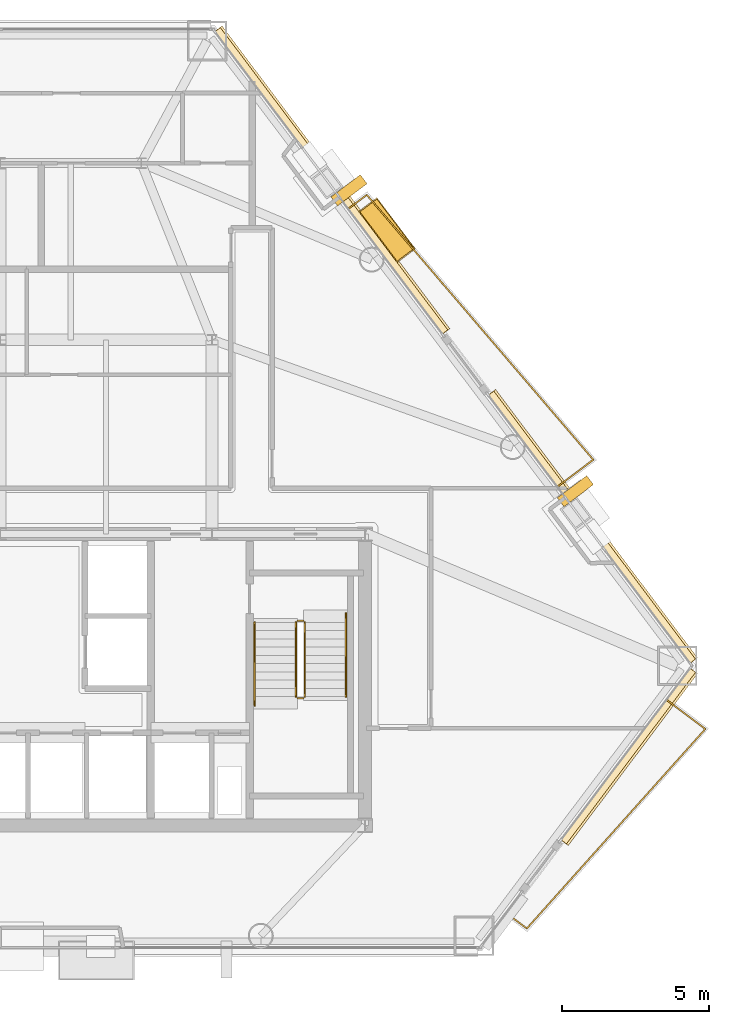
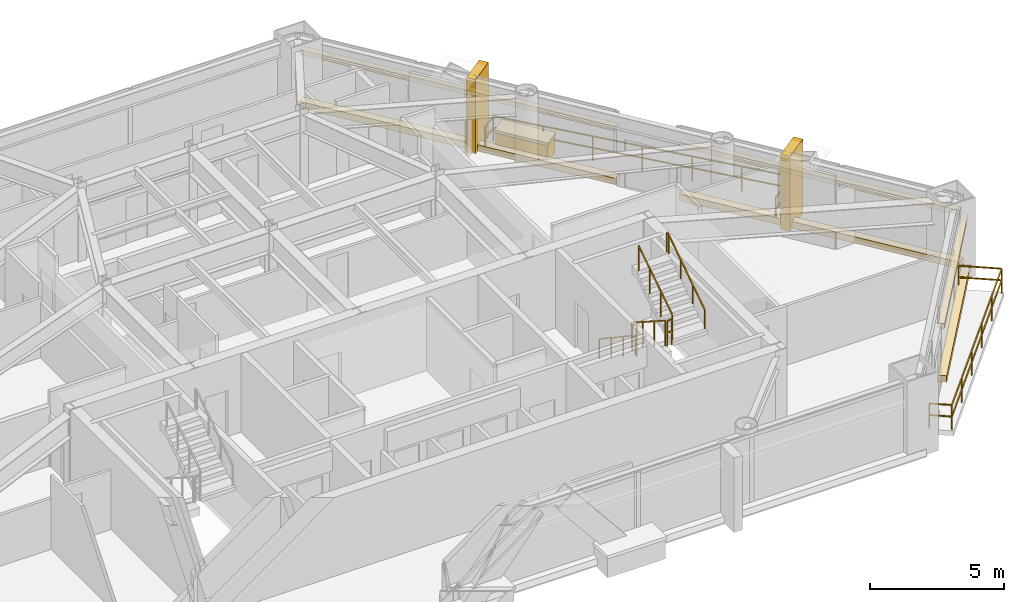
# One storey, part 11 of 11: 10 coverings, 8 railings.
"""IFC4 building model written with IfcOpenShell, lengths in metres."""

from ifc_helpers import new_model, si_unit, direction, frame, origin, origin_2d, place, context, subcontext, project, spatial, rectangle, extrude, material, layer, layer_set, type_object, element, save


model = new_model("IFC4")

# Units and contexts
model_context = context("Model", 3, precision=1e-05, world=origin(), true_north=direction((0.0, 1.0)))
body_context = subcontext(model_context, "Body", "Model", "MODEL_VIEW")
ifc_project = project(units=[si_unit("LENGTHUNIT", "METRE"), si_unit("AREAUNIT", "SQUARE_METRE"), si_unit("VOLUMEUNIT", "CUBIC_METRE"), si_unit("PLANEANGLEUNIT", "RADIAN"), si_unit("MASSUNIT", "GRAM", prefix="KILO")], contexts=[model_context])

# Site, building, storey
site_placement = place(None, origin())
site = spatial("IfcSite", under=ifc_project, at=site_placement, CompositionType="ELEMENT")
building_placement = place(site_placement, origin())
building = spatial("IfcBuilding", under=site, at=building_placement, Name="Talgorran Terracotta Tower", CompositionType="ELEMENT")
storey_placement = place(building_placement, frame((0.0, 0.0, 72.0)))
storey = spatial("IfcBuildingStorey", under=building, at=storey_placement, Name="L18", CompositionType="ELEMENT", Elevation=72.0)

# Coverings
ifc_material_1 = material(Name="Kiln-Fired Terracotta Ochre Ceramic", Category="masonry")
ifc_layer_1 = layer(ifc_material_1, 0.179931640625, Name="COV_BAGUETTE_TERRACOTTA_SCREEN")
ifc_layer_set_1 = layer_set([ifc_layer_1], Name="Kiln-Fired Terracotta Ochre Ceramic")
covering_type_1 = type_object("IfcCoveringType", Name="COV_BAGUETTE_TERRACOTTA_SCREEN", PredefinedType="CLADDING", material=ifc_layer_set_1)
covering_1_placement = place(storey_placement, frame((21.32861328125, -11.732666015625, 2.41015625), z_axis=(0.0, 0.0, 1.0), x_axis=(0.601257323772, 0.799055461536, 0.0)))
element("IfcCovering", 1, at=covering_1_placement, inside=storey, type_object=covering_type_1, Name="L18 Terracotta Baguette Solar Screen Assembly F31", PredefinedType="CLADDING", context=body_context, shape_type="SweptSolid", body=[
    extrude(rectangle(XDim=7.287841796875, YDim=0.260009765625, at=origin_2d()), origin(), (0.0, 0.0, 1.0), 0.219970703125),
])
covering_2_placement = place(storey_placement, frame((20.094482421875, -3.972900390625, 2.41015625), z_axis=(0.0, 0.0, 1.0), x_axis=(-0.601243377531, 0.799065955334, 0.0)))
element("IfcCovering", 2, at=covering_2_placement, inside=storey, type_object=covering_type_1, Name="L18 Terracotta Baguette Solar Screen Assembly F40", PredefinedType="CLADDING", context=body_context, shape_type="SweptSolid", body=[
    extrude(rectangle(XDim=11.393310546875, YDim=0.260009765625, at=origin_2d()), origin(), (0.0, 0.0, 1.0), 0.219970703125),
])
covering_3_placement = place(storey_placement, frame((11.2431640625, 7.791015625, 2.41015625), z_axis=(0.0, 0.0, 1.0), x_axis=(-0.601243377531, 0.799065955334, 0.0)))
element("IfcCovering", 3, at=covering_3_placement, inside=storey, type_object=covering_type_1, Name="L18 Terracotta Baguette Solar Screen Assembly F41", PredefinedType="CLADDING", context=body_context, shape_type="SweptSolid", body=[
    extrude(rectangle(XDim=12.850341796875, YDim=0.260009765625, at=origin_2d()), origin(), (0.0, 0.0, 1.0), 0.219970703125),
])
ifc_material_2 = material(Name="Honed Limestone and Terracotta Planter", Category="masonry")
ifc_layer_2 = layer(ifc_material_2, 0.1201171875, Name="COV_PLANTER_BOX")
ifc_layer_set_2 = layer_set([ifc_layer_2], Name="Honed Limestone and Terracotta Planter")
covering_type_2 = type_object("IfcCoveringType", Name="COV_PLANTER_BOX", PredefinedType="CLADDING", material=ifc_layer_set_2)
covering_4_placement = place(storey_placement, frame((13.14599609375, 6.12548828125, -0.02001953125), z_axis=(0.0, 0.0, 1.0), x_axis=(-0.601243377531, 0.799065955334, 0.0)))
element("IfcCovering", 4, at=covering_4_placement, inside=storey, type_object=covering_type_2, Name="L18 Staggered Balcony Planter Box BAL-NE", PredefinedType="CLADDING", context=body_context, shape_type="SweptSolid", body=[
    extrude(rectangle(XDim=2.10009765625, YDim=0.719970703125, at=origin_2d()), origin(), (0.0, 0.0, 1.0), 0.860107421875),
])
ifc_material_3 = material(Name="Kiln-Fired Terracotta Planter Rim", Category="masonry")
ifc_layer_3 = layer(ifc_material_3, 0.10009765625, Name="COV_PLANTER_RIM")
ifc_layer_set_3 = layer_set([ifc_layer_3], Name="Kiln-Fired Terracotta Planter Rim")
covering_type_3 = type_object("IfcCoveringType", Name="COV_PLANTER_RIM", PredefinedType="CLADDING", material=ifc_layer_set_3)
covering_5_placement = place(storey_placement, frame((13.14599609375, 6.12548828125, 0.800048828125), z_axis=(0.0, 0.0, 1.0), x_axis=(-0.601243377531, 0.799065955334, 0.0)))
element("IfcCovering", 5, at=covering_5_placement, inside=storey, type_object=covering_type_3, Name="L18 Balcony Planter Terracotta Rim BAL-NE", PredefinedType="CLADDING", context=body_context, shape_type="SweptSolid", body=[
    extrude(rectangle(XDim=2.179931640625, YDim=0.780029296875, at=origin_2d()), origin(), (0.0, 0.0, 1.0), 0.1201171875),
])
ifc_material_4 = material(Name="Honed Limestone Cladding", Category="masonry")
ifc_layer_4 = layer(ifc_material_4, 0.094970703125, Name="COV_PORTAL_LIME")
ifc_layer_set_4 = layer_set([ifc_layer_4], Name="Honed Limestone Cladding")
covering_type_4 = type_object("IfcCoveringType", Name="COV_PORTAL_LIME", PredefinedType="CLADDING", material=ifc_layer_set_4)
covering_6_placement = place(storey_placement, frame((21.360595703125, -11.756591796875, -0.0400390625), z_axis=(0.0, 0.0, 1.0), x_axis=(0.601257323772, 0.799055461536, 0.0)))
element("IfcCovering", 6, at=covering_6_placement, inside=storey, type_object=covering_type_4, Name="L18 Striped Postmodern Portal Cladding Band F31", PredefinedType="CLADDING", context=body_context, shape_type="SweptSolid", body=[
    extrude(rectangle(XDim=7.307861328125, YDim=0.340087890625, at=origin_2d()), origin(), (0.0, 0.0, 1.0), 0.300048828125),
])
covering_7_placement = place(storey_placement, frame((20.12646484375, -3.94873046875, -0.0400390625), z_axis=(0.0, 0.0, 1.0), x_axis=(-0.601243377531, 0.799065955334, 0.0)))
element("IfcCovering", 7, at=covering_7_placement, inside=storey, type_object=covering_type_4, Name="L18 Striped Postmodern Portal Cladding Band F40", PredefinedType="CLADDING", context=body_context, shape_type="SweptSolid", body=[
    extrude(rectangle(XDim=11.4130859375, YDim=0.340087890625, at=origin_2d()), origin(), (0.0, 0.0, 1.0), 0.300048828125),
])
covering_8_placement = place(storey_placement, frame((11.275146484375, 7.81494140625, -0.0400390625), z_axis=(0.0, 0.0, 1.0), x_axis=(-0.601243377531, 0.799065955334, 0.0)))
element("IfcCovering", 8, at=covering_8_placement, inside=storey, type_object=covering_type_4, Name="L18 Striped Postmodern Portal Cladding Band F41", PredefinedType="CLADDING", context=body_context, shape_type="SweptSolid", body=[
    extrude(rectangle(XDim=12.870361328125, YDim=0.340087890625, at=origin_2d()), origin(), (0.0, 0.0, 1.0), 0.300048828125),
])
covering_9_placement = place(storey_placement, frame((11.853759765625, 7.478515625, -0.050048828125), z_axis=(0.0, 0.0, 1.0), x_axis=(-0.601243377531, 0.799065955334, 0.0)))
element("IfcCovering", 9, at=covering_9_placement, inside=storey, type_object=covering_type_4, Name="L18 White Striped Portal Fin F3-2", PredefinedType="CLADDING", context=body_context, shape_type="SweptSolid", body=[
    extrude(rectangle(XDim=0.3798828125, YDim=1.25, at=origin_2d()), origin(), (0.0, 0.0, 1.0), 3.39990234375),
])
ifc_material_5 = material(Name="Kiln-Fired Terracotta Cladding", Category="masonry")
ifc_layer_5 = layer(ifc_material_5, 0.090087890625, Name="COV_PORTAL_TERRA")
ifc_layer_set_5 = layer_set([ifc_layer_5], Name="Kiln-Fired Terracotta Cladding")
covering_type_5 = type_object("IfcCoveringType", Name="COV_PORTAL_TERRA", PredefinedType="CLADDING", material=ifc_layer_set_5)
covering_10_placement = place(storey_placement, frame((19.543701171875, -2.741943359375, -0.050048828125), z_axis=(0.0, 0.0, 1.0), x_axis=(-0.601243377531, 0.799065955334, 0.0)))
element("IfcCovering", 10, at=covering_10_placement, inside=storey, type_object=covering_type_5, Name="L18 Terracotta Striped Portal Fin F3-1", PredefinedType="CLADDING", context=body_context, shape_type="SweptSolid", body=[
    extrude(rectangle(XDim=0.3798828125, YDim=1.25, at=origin_2d()), origin(), (0.0, 0.0, 1.0), 3.39990234375),
])

# Railings
ifc_material_6 = material(Name="Laminated Glass and Stainless Steel 316", Category="steel")
railing_type_1 = type_object("IfcRailingType", Name="RL_BALCONY_1150", PredefinedType="BALUSTRADE", material=ifc_material_6)
railing_1_placement = place(storey_placement, frame((18.946533203125, -2.580078125, 0.0)))
element("IfcRailing", 11, at=railing_1_placement, inside=storey, type_object=railing_type_1, Name="RL-L18-BAL-BAL-NE", PredefinedType="BALUSTRADE", context=body_context, shape_type="SweptSolid", body=[
    extrude(rectangle(XDim=0.048095703125, YDim=0.048095703125, at=origin_2d()), frame((0.0, 0.0, 1.1259765625), z_axis=(0.799145042442, 0.601138254598, 0.0), x_axis=(-0.601138254598, 0.799145042442, 0.0)), (0.0, 0.0, 1.0), 1.50927734375),
    extrude(rectangle(XDim=0.048095703125, YDim=0.048095703125, at=origin_2d()), frame((0.0, 0.0, 0.597900390625), z_axis=(0.799145042442, 0.601138254598, 0.0), x_axis=(-0.601138254598, 0.799145042442, 0.0)), (0.0, 0.0, 1.0), 1.50927734375),
    extrude(rectangle(XDim=0.048095703125, YDim=0.048095703125, at=origin_2d()), frame((1.2060546875, 0.9072265625, 1.1259765625), z_axis=(-0.650047118483, 0.759893902957, 0.0), x_axis=(-0.759893902957, -0.650047118483, 0.0)), (0.0, 0.0, 1.0), 11.83740234375),
    extrude(rectangle(XDim=0.048095703125, YDim=0.048095703125, at=origin_2d()), frame((1.2060546875, 0.9072265625, 0.597900390625), z_axis=(-0.650047118483, 0.759893902957, 0.0), x_axis=(-0.759893902957, -0.650047118483, 0.0)), (0.0, 0.0, 1.0), 11.83740234375),
    extrude(rectangle(XDim=0.048095703125, YDim=0.048095703125, at=origin_2d()), frame((-6.48876953125, 9.90234375, 1.1259765625), z_axis=(-0.799084379196, -0.601218891025, 0.0), x_axis=(0.601218891025, -0.799084379196, 0.0)), (0.0, 0.0, 1.0), 0.768798828125),
    extrude(rectangle(XDim=0.048095703125, YDim=0.048095703125, at=origin_2d()), frame((-6.48876953125, 9.90234375, 0.597900390625), z_axis=(-0.799084379196, -0.601218891025, 0.0), x_axis=(0.601218891025, -0.799084379196, 0.0)), (0.0, 0.0, 1.0), 0.768798828125),
    extrude(rectangle(XDim=0.0419921875, YDim=0.0419921875, at=origin_2d()), origin(), (0.0, 0.0, 1.0), 1.101806640625),
    extrude(rectangle(XDim=0.0419921875, YDim=0.0419921875, at=origin_2d()), frame((1.2060546875, 0.9072265625, 0.0)), (0.0, 0.0, 1.0), 1.101806640625),
    extrude(rectangle(XDim=0.0419921875, YDim=0.0419921875, at=origin_2d()), frame((-0.076416015625, 2.406494140625, 0.0)), (0.0, 0.0, 1.0), 1.101806640625),
    extrude(rectangle(XDim=0.0419921875, YDim=0.0419921875, at=origin_2d()), frame((-1.35888671875, 3.905517578125, 0.0)), (0.0, 0.0, 1.0), 1.101806640625),
    extrude(rectangle(XDim=0.0419921875, YDim=0.0419921875, at=origin_2d()), frame((-2.641357421875, 5.40478515625, 0.0)), (0.0, 0.0, 1.0), 1.101806640625),
    extrude(rectangle(XDim=0.0419921875, YDim=0.0419921875, at=origin_2d()), frame((-3.923828125, 6.904052734375, 0.0)), (0.0, 0.0, 1.0), 1.101806640625),
    extrude(rectangle(XDim=0.0419921875, YDim=0.0419921875, at=origin_2d()), frame((-5.206298828125, 8.403076171875, 0.0)), (0.0, 0.0, 1.0), 1.101806640625),
    extrude(rectangle(XDim=0.0419921875, YDim=0.0419921875, at=origin_2d()), frame((-6.48876953125, 9.90234375, 0.0)), (0.0, 0.0, 1.0), 1.101806640625),
    extrude(rectangle(XDim=0.0419921875, YDim=0.0419921875, at=origin_2d()), frame((-7.10302734375, 9.440185546875, 0.0)), (0.0, 0.0, 1.0), 1.101806640625),
])
railing_2_placement = place(storey_placement, frame((17.20556640625, -17.079345703125, 0.0)))
element("IfcRailing", 12, at=railing_2_placement, inside=storey, type_object=railing_type_1, Name="RL-L18-BAL-BAL-SE", PredefinedType="BALUSTRADE", context=body_context, shape_type="SweptSolid", body=[
    extrude(rectangle(XDim=0.048095703125, YDim=0.048095703125, at=origin_2d()), frame((0.0, 0.0, 1.1259765625), z_axis=(0.799011852752, -0.601315274346, 0.0), x_axis=(0.601315274346, 0.799011852752, 0.0)), (0.0, 0.0, 1.0), 0.86083984375),
    extrude(rectangle(XDim=0.048095703125, YDim=0.048095703125, at=origin_2d()), frame((0.0, 0.0, 0.597900390625), z_axis=(0.799011852752, -0.601315274346, 0.0), x_axis=(0.601315274346, 0.799011852752, 0.0)), (0.0, 0.0, 1.0), 0.86083984375),
    extrude(rectangle(XDim=0.048095703125, YDim=0.048095703125, at=origin_2d()), frame((0.687744140625, -0.517578125, 1.1259765625), z_axis=(0.666918069524, 0.745131054609, 0.0), x_axis=(-0.745131054609, 0.666918069524, 0.0)), (0.0, 0.0, 1.0), 9.0927734375),
    extrude(rectangle(XDim=0.048095703125, YDim=0.048095703125, at=origin_2d()), frame((0.687744140625, -0.517578125, 0.597900390625), z_axis=(0.666918069524, 0.745131054609, 0.0), x_axis=(-0.745131054609, 0.666918069524, 0.0)), (0.0, 0.0, 1.0), 9.0927734375),
    extrude(rectangle(XDim=0.048095703125, YDim=0.048095703125, at=origin_2d()), frame((6.751953125, 6.2578125, 1.1259765625), z_axis=(-0.799120034509, 0.601171498365, 0.0), x_axis=(-0.601171498365, -0.799120034509, 0.0)), (0.0, 0.0, 1.0), 1.633056640625),
    extrude(rectangle(XDim=0.048095703125, YDim=0.048095703125, at=origin_2d()), frame((6.751953125, 6.2578125, 0.597900390625), z_axis=(-0.799120034509, 0.601171498365, 0.0), x_axis=(-0.601171498365, -0.799120034509, 0.0)), (0.0, 0.0, 1.0), 1.633056640625),
    extrude(rectangle(XDim=0.0419921875, YDim=0.0419921875, at=origin_2d()), origin(), (0.0, 0.0, 1.0), 1.101806640625),
    extrude(rectangle(XDim=0.0419921875, YDim=0.0419921875, at=origin_2d()), frame((0.687744140625, -0.517578125, 0.0)), (0.0, 0.0, 1.0), 1.101806640625),
    extrude(rectangle(XDim=0.0419921875, YDim=0.0419921875, at=origin_2d()), frame((1.900634765625, 0.83740234375, 0.0)), (0.0, 0.0, 1.0), 1.101806640625),
    extrude(rectangle(XDim=0.0419921875, YDim=0.0419921875, at=origin_2d()), frame((3.113525390625, 2.192626953125, 0.0)), (0.0, 0.0, 1.0), 1.101806640625),
    extrude(rectangle(XDim=0.0419921875, YDim=0.0419921875, at=origin_2d()), frame((4.326171875, 3.547607421875, 0.0)), (0.0, 0.0, 1.0), 1.101806640625),
    extrude(rectangle(XDim=0.0419921875, YDim=0.0419921875, at=origin_2d()), frame((5.5390625, 4.90283203125, 0.0)), (0.0, 0.0, 1.0), 1.101806640625),
    extrude(rectangle(XDim=0.0419921875, YDim=0.0419921875, at=origin_2d()), frame((6.751953125, 6.2578125, 0.0)), (0.0, 0.0, 1.0), 1.101806640625),
    extrude(rectangle(XDim=0.0419921875, YDim=0.0419921875, at=origin_2d()), frame((5.447021484375, 7.239501953125, 0.0)), (0.0, 0.0, 1.0), 1.101806640625),
])
ifc_material_7 = material(Name="Steel S355 (300PLUS)", Category="steel")
railing_type_2 = type_object("IfcRailingType", Name="RL_HANDRAIL_920", PredefinedType="HANDRAIL", material=ifc_material_7)
railing_3_placement = place(storey_placement, frame((8.64990234375, -7.199951171875, 0.179931640625)))
element("IfcRailing", 13, at=railing_3_placement, inside=storey, type_object=railing_type_2, Name="L18 ST-02 stair handrail 1", PredefinedType="HANDRAIL", context=body_context, shape_type="SweptSolid", body=[
    extrude(rectangle(XDim=0.048095703125, YDim=0.048095703125, at=origin_2d()), frame((0.0, 0.0, 0.89599609375), z_axis=(0.0, -0.832038719335, 0.554717558338), x_axis=(1.0, 0.0, 0.0)), (0.0, 0.0, 1.0), 3.244873046875),
    extrude(rectangle(XDim=0.048095703125, YDim=0.048095703125, at=origin_2d()), frame((0.0, -2.699951171875, 2.69580078125), z_axis=(0.0, -1.0, 0.0), x_axis=(1.0, 0.0, 0.0)), (0.0, 0.0, 1.0), 0.1201171875),
    extrude(rectangle(XDim=0.0419921875, YDim=0.0419921875, at=origin_2d()), origin(), (0.0, 0.0, 1.0), 0.871826171875),
    extrude(rectangle(XDim=0.0419921875, YDim=0.0419921875, at=origin_2d()), frame((0.0, -0.89990234375, 0.60009765625)), (0.0, 0.0, 1.0), 0.871826171875),
    extrude(rectangle(XDim=0.0419921875, YDim=0.0419921875, at=origin_2d()), frame((0.0, -1.800048828125, 1.199951171875)), (0.0, 0.0, 1.0), 0.871826171875),
    extrude(rectangle(XDim=0.0419921875, YDim=0.0419921875, at=origin_2d()), frame((0.0, -2.699951171875, 1.800048828125)), (0.0, 0.0, 1.0), 0.871826171875),
    extrude(rectangle(XDim=0.0419921875, YDim=0.0419921875, at=origin_2d()), frame((0.0, -2.820068359375, 1.800048828125)), (0.0, 0.0, 1.0), 0.871826171875),
])
railing_4_placement = place(storey_placement, frame((11.75, -9.719970703125, 1.97998046875)))
element("IfcRailing", 14, at=railing_4_placement, inside=storey, type_object=railing_type_2, Name="L18 ST-02 stair handrail 2", PredefinedType="HANDRAIL", context=body_context, shape_type="SweptSolid", body=[
    extrude(rectangle(XDim=0.048095703125, YDim=0.048095703125, at=origin_2d()), frame((0.0, 0.0, 0.89599609375), z_axis=(0.0, 0.832038719335, 0.554717558338), x_axis=(-1.0, 0.0, 0.0)), (0.0, 0.0, 1.0), 3.244873046875),
    extrude(rectangle(XDim=0.048095703125, YDim=0.048095703125, at=origin_2d()), frame((0.0, 2.699951171875, 2.69580078125), z_axis=(0.0, 1.0, 0.0), x_axis=(-1.0, 0.0, 0.0)), (0.0, 0.0, 1.0), 0.1201171875),
    extrude(rectangle(XDim=0.0419921875, YDim=0.0419921875, at=origin_2d()), origin(), (0.0, 0.0, 1.0), 0.871826171875),
    extrude(rectangle(XDim=0.0419921875, YDim=0.0419921875, at=origin_2d()), frame((0.0, 0.89990234375, 0.60009765625)), (0.0, 0.0, 1.0), 0.871826171875),
    extrude(rectangle(XDim=0.0419921875, YDim=0.0419921875, at=origin_2d()), frame((0.0, 1.800048828125, 1.199951171875)), (0.0, 0.0, 1.0), 0.871826171875),
    extrude(rectangle(XDim=0.0419921875, YDim=0.0419921875, at=origin_2d()), frame((0.0, 2.699951171875, 1.800048828125)), (0.0, 0.0, 1.0), 0.871826171875),
    extrude(rectangle(XDim=0.0419921875, YDim=0.0419921875, at=origin_2d()), frame((0.0, 2.820068359375, 1.800048828125)), (0.0, 0.0, 1.0), 0.871826171875),
])
railing_type_3 = type_object("IfcRailingType", Name="RL_STAIR_GUARD", PredefinedType="GUARDRAIL", material=ifc_material_7)
railing_5_placement = place(storey_placement, frame((10.050048828125, -7.199951171875, 0.179931640625)))
element("IfcRailing", 15, at=railing_5_placement, inside=storey, type_object=railing_type_3, Name="L18 ST-02 stair guard 1", PredefinedType="GUARDRAIL", context=body_context, shape_type="SweptSolid", body=[
    extrude(rectangle(XDim=0.048095703125, YDim=0.048095703125, at=origin_2d()), frame((0.0, 0.0, 1.15576171875), z_axis=(0.0, -0.841162588446, 0.540782303519), x_axis=(1.0, 0.0, 0.0)), (0.0, 0.0, 1.0), 2.995849609375),
    extrude(rectangle(XDim=0.0419921875, YDim=0.0419921875, at=origin_2d()), origin(), (0.0, 0.0, 1.0), 1.1318359375),
    extrude(rectangle(XDim=0.0419921875, YDim=0.0419921875, at=origin_2d()), frame((0.0, -0.840087890625, 0.5400390625)), (0.0, 0.0, 1.0), 1.1318359375),
    extrude(rectangle(XDim=0.0419921875, YDim=0.0419921875, at=origin_2d()), frame((0.0, -1.679931640625, 1.080078125)), (0.0, 0.0, 1.0), 1.1318359375),
    extrude(rectangle(XDim=0.0419921875, YDim=0.0419921875, at=origin_2d()), frame((0.0, -2.52001953125, 1.6201171875)), (0.0, 0.0, 1.0), 1.1318359375),
])
railing_6_placement = place(storey_placement, frame((10.10009765625, -9.77001953125, 1.800048828125)))
element("IfcRailing", 16, at=railing_6_placement, inside=storey, type_object=railing_type_3, Name="L18 ST-02 stair guard 2", PredefinedType="GUARDRAIL", context=body_context, shape_type="SweptSolid", body=[
    extrude(rectangle(XDim=0.048095703125, YDim=0.048095703125, at=origin_2d()), frame((0.0, 0.0, 1.15576171875), z_axis=(1.0, 0.0, 0.0), x_axis=(0.0, 1.0, 0.0)), (0.0, 0.0, 1.0), 0.199951171875),
    extrude(rectangle(XDim=0.048095703125, YDim=0.048095703125, at=origin_2d()), frame((0.0, 0.0, 0.613525390625), z_axis=(1.0, 0.0, 0.0), x_axis=(0.0, 1.0, 0.0)), (0.0, 0.0, 1.0), 0.199951171875),
    extrude(rectangle(XDim=0.0419921875, YDim=0.0419921875, at=origin_2d()), origin(), (0.0, 0.0, 1.0), 1.1318359375),
    extrude(rectangle(XDim=0.0419921875, YDim=0.0419921875, at=origin_2d()), frame((0.199951171875, 0.0, 0.0)), (0.0, 0.0, 1.0), 1.1318359375),
])
railing_7_placement = place(storey_placement, frame((10.35009765625, -9.719970703125, 1.97998046875)))
element("IfcRailing", 17, at=railing_7_placement, inside=storey, type_object=railing_type_3, Name="L18 ST-02 stair guard 3", PredefinedType="GUARDRAIL", context=body_context, shape_type="SweptSolid", body=[
    extrude(rectangle(XDim=0.048095703125, YDim=0.048095703125, at=origin_2d()), frame((0.0, 0.0, 1.15576171875), z_axis=(0.0, 0.841162588446, 0.540782303519), x_axis=(-1.0, 0.0, 0.0)), (0.0, 0.0, 1.0), 2.995849609375),
    extrude(rectangle(XDim=0.0419921875, YDim=0.0419921875, at=origin_2d()), origin(), (0.0, 0.0, 1.0), 1.1318359375),
    extrude(rectangle(XDim=0.0419921875, YDim=0.0419921875, at=origin_2d()), frame((0.0, 0.840087890625, 0.5400390625)), (0.0, 0.0, 1.0), 1.1318359375),
    extrude(rectangle(XDim=0.0419921875, YDim=0.0419921875, at=origin_2d()), frame((0.0, 1.679931640625, 1.080078125)), (0.0, 0.0, 1.0), 1.1318359375),
    extrude(rectangle(XDim=0.0419921875, YDim=0.0419921875, at=origin_2d()), frame((0.0, 2.52001953125, 1.6201171875)), (0.0, 0.0, 1.0), 1.1318359375),
])
railing_8_placement = place(storey_placement, frame((10.10009765625, -7.14990234375, 0.0)))
element("IfcRailing", 18, at=railing_8_placement, inside=storey, type_object=railing_type_3, Name="L18 ST-02 stair guard 4", PredefinedType="GUARDRAIL", context=body_context, shape_type="SweptSolid", body=[
    extrude(rectangle(XDim=0.048095703125, YDim=0.048095703125, at=origin_2d()), frame((0.0, 0.0, 1.15576171875), z_axis=(1.0, 0.0, 0.0), x_axis=(0.0, 1.0, 0.0)), (0.0, 0.0, 1.0), 0.199951171875),
    extrude(rectangle(XDim=0.048095703125, YDim=0.048095703125, at=origin_2d()), frame((0.0, 0.0, 0.613525390625), z_axis=(1.0, 0.0, 0.0), x_axis=(0.0, 1.0, 0.0)), (0.0, 0.0, 1.0), 0.199951171875),
    extrude(rectangle(XDim=0.0419921875, YDim=0.0419921875, at=origin_2d()), origin(), (0.0, 0.0, 1.0), 1.1318359375),
    extrude(rectangle(XDim=0.0419921875, YDim=0.0419921875, at=origin_2d()), frame((0.199951171875, 0.0, 0.0)), (0.0, 0.0, 1.0), 1.1318359375),
])

save(model, "model.ifc")
